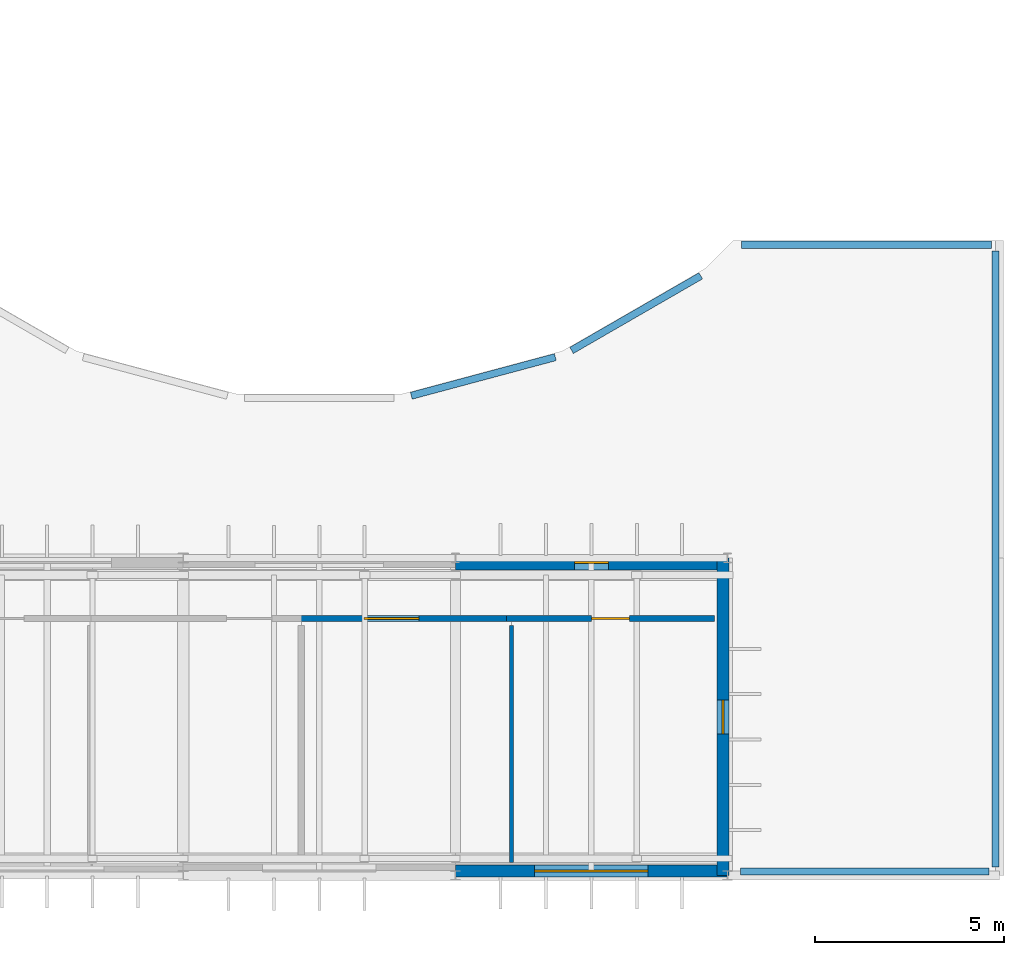
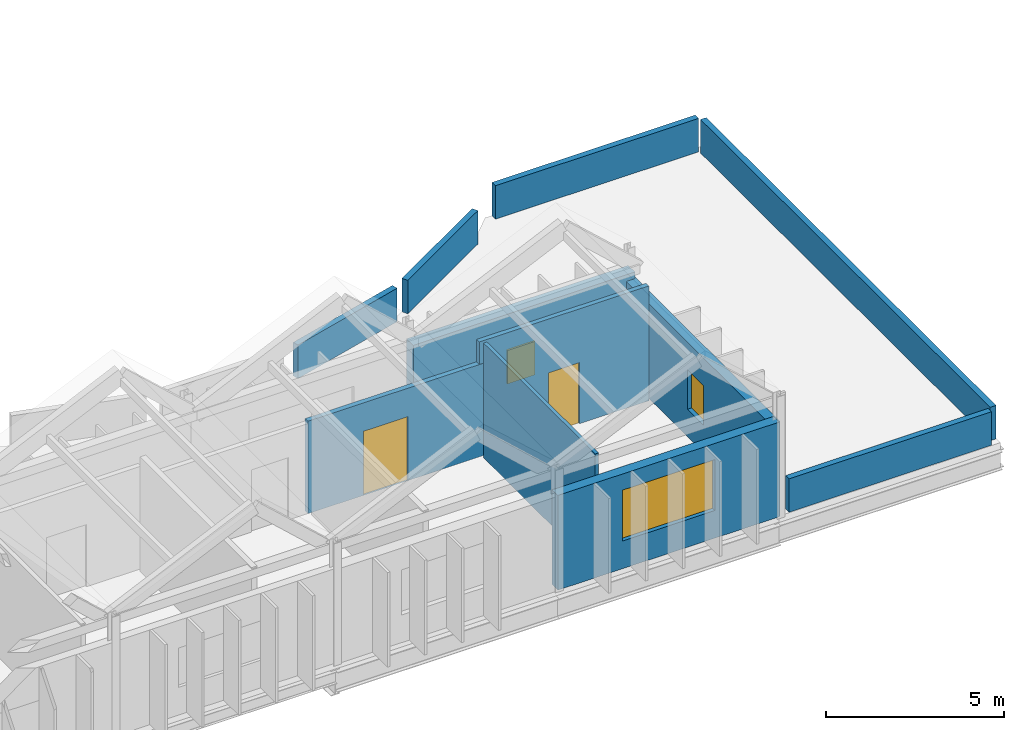
# One storey, part 43 of 52: 11 walls, 3 windows, 2 doors, 5 openings.
"""IFC4 building model written with IfcOpenShell, lengths in metres."""

from ifc_helpers import new_model, si_unit, direction, frame, frame_2d, origin, place, context, subcontext, project, spatial, rectangle, extrude, material, layer, layer_set, type_object, element, fill, save


model = new_model("IFC4")

# Units and contexts
model_context = context("Model", 3, precision=1e-05, world=origin(), true_north=direction((0.0, 1.0)))
body_context = subcontext(model_context, "Body", "Model", "MODEL_VIEW")
ifc_project = project(units=[si_unit("LENGTHUNIT", "METRE"), si_unit("AREAUNIT", "SQUARE_METRE"), si_unit("VOLUMEUNIT", "CUBIC_METRE"), si_unit("PLANEANGLEUNIT", "RADIAN"), si_unit("MASSUNIT", "GRAM", prefix="KILO")], contexts=[model_context])

# Site, building, storey
site_placement = place(None, origin())
site = spatial("IfcSite", under=ifc_project, at=site_placement, CompositionType="ELEMENT")
building_placement = place(site_placement, origin())
building = spatial("IfcBuilding", under=site, at=building_placement, Name="Qelthora Terrace Specialist Clinic", CompositionType="ELEMENT")
storey_placement = place(building_placement, frame((0.0, 0.0, 17.39990234375)))
storey = spatial("IfcBuildingStorey", under=building, at=storey_placement, Name="L04", CompositionType="ELEMENT", Elevation=17.39990234375)

# Wall, opening, window
ifc_material_1 = material(Name="Precast concrete C40/50", Category="concrete")
ifc_layer_1 = layer(ifc_material_1, 0.320068359375)
ifc_layer_set_1 = layer_set([ifc_layer_1], Name="Precast concrete C40/50")
wall_type_1 = type_object("IfcWallType", Name="WAL-EXT-320-PC40", PredefinedType="SOLIDWALL", material=ifc_layer_set_1)
wall_1_placement = place(storey_placement, frame((129.60009765625, 33.719970703125, 0.0), z_axis=(0.0, 0.0, 1.0), x_axis=(1.0, 0.0, 0.0)))
wall_1 = element("IfcWall", 1, at=wall_1_placement, inside=storey, type_object=wall_type_1, Name="L04 external precast wall 351", PredefinedType="SOLIDWALL", context=body_context, shape_type="SweptSolid", body=[
    extrude(rectangle(XDim=7.199951171875, YDim=0.320068359375, at=frame_2d((3.60009765625, 0.0))), origin(), (0.0, 0.0, 1.0), 3.254150390625),
])
opening_1_placement = place(wall_1_placement, frame((2.10009765625, 0.0, 0.949951171875)))
opening_1 = element("IfcOpeningElement", 2, at=opening_1_placement, cuts=wall_1, Name="Opening WN-L04-308", PredefinedType="OPENING", context=body_context, shape_type="SweptSolid", body=[
    extrude(rectangle(XDim=3.0, YDim=1.75, at=frame_2d((1.5, 0.875))), frame((0.0, 0.169921875, 0.0), z_axis=(0.0, -1.0, 0.0), x_axis=(1.0, 0.0, 0.0)), (0.0, 0.0, 1.0), 0.340087890625),
])
ifc_material_2 = material(Name="Low-E triple-silver insulating glass", Category="glass")
window_type_1 = type_object("IfcWindowType", Name="WIN-3000X1750", PartitioningType="DOUBLE_PANEL_VERTICAL", PredefinedType="WINDOW", material=ifc_material_2)
window_1_placement = place(opening_1_placement, origin())
window_1 = element("IfcWindow", 3, at=window_1_placement, inside=storey, type_object=window_type_1, Name="Clinical window WN-L04-308", OverallHeight=1.75, OverallWidth=3.0, PartitioningType="SINGLE_PANEL", PredefinedType="WINDOW", context=body_context, shape_type="SweptSolid", body=[
    extrude(rectangle(XDim=3.0, YDim=1.75, at=frame_2d((1.5, 0.875))), frame((0.0, 0.030029296875, 0.0), z_axis=(0.0, -1.0, 0.0), x_axis=(1.0, 0.0, 0.0)), (0.0, 0.0, 1.0), 0.06005859375),
])
fill(opening_1, window_1)

wall_2_placement = place(storey_placement, frame((136.679931640625, 33.60009765625, 0.0), z_axis=(0.0, 0.0, 1.0), x_axis=(0.0, 1.0, 0.0)))
wall_2 = element("IfcWall", 4, at=wall_2_placement, inside=storey, type_object=wall_type_1, Name="L04 external precast wall 361", PredefinedType="SOLIDWALL", context=body_context, shape_type="SweptSolid", body=[
    extrude(rectangle(XDim=8.39990234375, YDim=0.320068359375, at=frame_2d((4.199951171875, 0.0))), origin(), (0.0, 0.0, 1.0), 3.2490234375),
])
opening_2_placement = place(wall_2_placement, frame((3.75, 0.0, 0.949951171875)))
opening_2 = element("IfcOpeningElement", 5, at=opening_2_placement, cuts=wall_2, Name="Opening WN-L04-318", PredefinedType="OPENING", context=body_context, shape_type="SweptSolid", body=[
    extrude(rectangle(XDim=0.89990234375, YDim=1.35009765625, at=frame_2d((0.449951171875, 0.675048828125))), frame((0.0, 0.169921875, 0.0), z_axis=(0.0, -1.0, 0.0), x_axis=(1.0, 0.0, 0.0)), (0.0, 0.0, 1.0), 0.340087890625),
])
window_type_2 = type_object("IfcWindowType", Name="WIN-900X1350", PartitioningType="SINGLE_PANEL", PredefinedType="WINDOW", material=ifc_material_2)
window_2_placement = place(opening_2_placement, origin())
window_2 = element("IfcWindow", 6, at=window_2_placement, inside=storey, type_object=window_type_2, Name="Clinical window WN-L04-318", OverallHeight=1.35009765625, OverallWidth=0.89990234375, PartitioningType="SINGLE_PANEL", PredefinedType="WINDOW", context=body_context, shape_type="SweptSolid", body=[
    extrude(rectangle(XDim=0.89990234375, YDim=1.35009765625, at=frame_2d((0.449951171875, 0.675048828125))), frame((0.0, 0.030029296875, 0.0), z_axis=(0.0, -1.0, 0.0), x_axis=(1.0, 0.0, 0.0)), (0.0, 0.0, 1.0), 0.06005859375),
])
fill(opening_2, window_2)

ifc_layer_2 = layer(ifc_material_1, 0.3798828125)
ifc_layer_set_2 = layer_set([ifc_layer_2], Name="Precast concrete C40/50")
wall_type_2 = type_object("IfcWallType", Name="WAL-EXT-380-PC40", PredefinedType="SOLIDWALL", material=ifc_layer_set_2)
wall_3_placement = place(storey_placement, frame((129.60009765625, 41.8798828125, 0.0), z_axis=(0.0, 0.0, 1.0), x_axis=(1.0, 0.0, 0.0)))
wall_3 = element("IfcWall", 7, at=wall_3_placement, inside=storey, type_object=wall_type_2, Name="L04 external precast wall 360", PredefinedType="SOLIDWALL", context=body_context, shape_type="SweptSolid", body=[
    extrude(rectangle(XDim=7.199951171875, YDim=0.3798828125, at=frame_2d((3.60009765625, 0.0))), origin(), (0.0, 0.0, 1.0), 3.47607421875),
])
opening_3_placement = place(wall_3_placement, frame((3.14990234375, 0.0, 0.949951171875)))
opening_3 = element("IfcOpeningElement", 8, at=opening_3_placement, cuts=wall_3, Name="Opening WN-L04-317", PredefinedType="OPENING", context=body_context, shape_type="SweptSolid", body=[
    extrude(rectangle(XDim=0.89990234375, YDim=1.14990234375, at=frame_2d((0.449951171875, 0.574951171875))), frame((0.0, 0.199951171875, 0.0), z_axis=(0.0, -1.0, 0.0), x_axis=(1.0, 0.0, 0.0)), (0.0, 0.0, 1.0), 0.39990234375),
])
window_type_3 = type_object("IfcWindowType", Name="WIN-900X1150", PartitioningType="SINGLE_PANEL", PredefinedType="WINDOW", material=ifc_material_2)
window_3_placement = place(opening_3_placement, origin())
window_3 = element("IfcWindow", 9, at=window_3_placement, inside=storey, type_object=window_type_3, Name="Clinical window WN-L04-317", OverallHeight=1.14990234375, OverallWidth=0.89990234375, PartitioningType="SINGLE_PANEL", PredefinedType="WINDOW", context=body_context, shape_type="SweptSolid", body=[
    extrude(rectangle(XDim=0.89990234375, YDim=1.14990234375, at=frame_2d((0.449951171875, 0.574951171875))), frame((0.0, 0.030029296875, 0.0), z_axis=(0.0, -1.0, 0.0), x_axis=(1.0, 0.0, 0.0)), (0.0, 0.0, 1.0), 0.06005859375),
])
fill(opening_3, window_3)

# Wall, opening, door
ifc_material_3 = material(Name="Gypsum fire-rated wallboard", Category="gypsum")
ifc_layer_3 = layer(ifc_material_3, 0.159912109375)
ifc_layer_set_3 = layer_set([ifc_layer_3], Name="Gypsum fire-rated wallboard")
wall_type_3 = type_object("IfcWallType", Name="WAL-INT-COR-160", PredefinedType="PARTITIONING", material=ifc_layer_set_3)
wall_4_placement = place(storey_placement, frame((125.389892578125, 40.39990234375, 0.0), z_axis=(0.0, 0.0, 1.0), x_axis=(1.0, 0.0, 0.0)))
wall_4 = element("IfcWall", 10, at=wall_4_placement, inside=storey, type_object=wall_type_3, Name="Interior clinical partition IWAL-L04-0364", PredefinedType="PARTITIONING", context=body_context, shape_type="SweptSolid", body=[
    extrude(rectangle(XDim=5.697509765625, YDim=0.159912109375, at=frame_2d((2.8486328125, 0.0))), origin(), (0.0, 0.0, 1.0), 3.175048828125),
])
opening_4_placement = place(wall_4_placement, frame((1.793701171875, 0.0, 0.0)))
opening_4 = element("IfcOpeningElement", 11, at=opening_4_placement, cuts=wall_4, Name="Opening DI-L04-0146", PredefinedType="OPENING", context=body_context, shape_type="SweptSolid", body=[
    extrude(rectangle(XDim=1.449951171875, YDim=2.199951171875, at=frame_2d((0.72509765625, 1.10009765625))), frame((0.0, 0.08984375, 0.0), z_axis=(0.0, -1.0, 0.0), x_axis=(1.0, 0.0, 0.0)), (0.0, 0.0, 1.0), 0.179931640625),
])
ifc_material_4 = material(Name="Steel S355", Category="steel")
door_type_1 = type_object("IfcDoorType", Name="DOR-LAB-1450X2200", OperationType="NOTDEFINED", PredefinedType="DOOR", material=ifc_material_4)
door_1_placement = place(opening_4_placement, frame((1.449951171875, 0.0, 0.0), z_axis=(0.0, 0.0, 1.0), x_axis=(-1.0, 0.0, 0.0)))
door_1 = element("IfcDoor", 12, at=door_1_placement, inside=storey, type_object=door_type_1, Name="Interior clinical door DI-L04-0146", OperationType="SINGLE_SWING_LEFT", OverallHeight=2.199951171875, OverallWidth=1.449951171875, PredefinedType="DOOR", context=body_context, shape_type="SweptSolid", body=[
    extrude(rectangle(XDim=1.449951171875, YDim=2.199951171875, at=frame_2d((0.72509765625, 1.10009765625))), frame((0.0, 0.02490234375, 0.0), z_axis=(0.0, -1.0, 0.0), x_axis=(1.0, 0.0, 0.0)), (0.0, 0.0, 1.0), 0.050048828125),
])
fill(opening_4, door_1)

# Wall
ifc_layer_4 = layer(ifc_material_2, 0.110107421875)
ifc_layer_set_4 = layer_set([ifc_layer_4], Name="Low-E triple-silver insulating glass")
wall_type_4 = type_object("IfcWallType", Name="WAL-INT-GLA-110", PredefinedType="MOVABLE", material=ifc_layer_set_4)
wall_5_placement = place(storey_placement, frame((131.08740234375, 40.219970703125, 0.0), z_axis=(0.0, 0.0, 1.0), x_axis=(0.0, -1.0, 0.0)))
element("IfcWall", 13, at=wall_5_placement, inside=storey, type_object=wall_type_4, Name="Interior clinical partition IWAL-L04-0365", PredefinedType="MOVABLE", context=body_context, shape_type="SweptSolid", body=[
    extrude(rectangle(XDim=6.280029296875, YDim=0.110107421875, at=frame_2d((3.14013671875, 0.0))), origin(), (0.0, 0.0, 1.0), 3.945068359375),
])

# Wall, opening, door
ifc_material_5 = material(Name="Gypsum moisture-resistant", Category="gypsum")
ifc_layer_5 = layer(ifc_material_5, 0.14990234375)
ifc_layer_set_5 = layer_set([ifc_layer_5], Name="Gypsum moisture-resistant")
wall_type_5 = type_object("IfcWallType", Name="WAL-INT-WET-150", PredefinedType="PLUMBINGWALL", material=ifc_layer_set_5)
wall_6_placement = place(storey_placement, frame((130.952392578125, 40.39990234375, 0.0), z_axis=(0.0, 0.0, 1.0), x_axis=(1.0, 0.0, 0.0)))
wall_6 = element("IfcWall", 14, at=wall_6_placement, inside=storey, type_object=wall_type_5, Name="Interior clinical partition IWAL-L04-0366", PredefinedType="PLUMBINGWALL", context=body_context, shape_type="SweptSolid", body=[
    extrude(rectangle(XDim=5.507568359375, YDim=0.14990234375, at=frame_2d((2.75390625, 0.0))), origin(), (0.0, 0.0, 1.0), 3.945068359375),
])
opening_5_placement = place(wall_6_placement, frame((2.253662109375, 0.0, 0.0)))
opening_5 = element("IfcOpeningElement", 15, at=opening_5_placement, cuts=wall_6, Name="Opening DI-L04-0147", PredefinedType="OPENING", context=body_context, shape_type="SweptSolid", body=[
    extrude(rectangle(XDim=1.0, YDim=2.10009765625, at=frame_2d((0.5, 1.050048828125))), frame((0.0, 0.0849609375, 0.0), z_axis=(0.0, -1.0, 0.0), x_axis=(1.0, 0.0, 0.0)), (0.0, 0.0, 1.0), 0.169921875),
])
ifc_material_6 = material(Name="Glulam timber GL28h", Category="wood")
door_type_2 = type_object("IfcDoorType", Name="DOR-AWC-1000X2100", OperationType="NOTDEFINED", PredefinedType="DOOR", material=ifc_material_6)
door_2_placement = place(opening_5_placement, frame((1.0, 0.0, 0.0), z_axis=(0.0, 0.0, 1.0), x_axis=(-1.0, 0.0, 0.0)))
door_2 = element("IfcDoor", 16, at=door_2_placement, inside=storey, type_object=door_type_2, Name="Interior clinical door DI-L04-0147", OperationType="SINGLE_SWING_RIGHT", OverallHeight=2.10009765625, OverallWidth=1.0, PredefinedType="DOOR", context=body_context, shape_type="SweptSolid", body=[
    extrude(rectangle(XDim=1.0, YDim=2.10009765625, at=frame_2d((0.5, 1.050048828125))), frame((0.0, 0.02490234375, 0.0), z_axis=(0.0, -1.0, 0.0), x_axis=(1.0, 0.0, 0.0)), (0.0, 0.0, 1.0), 0.050048828125),
])
fill(opening_5, door_2)

# Walls
ifc_layer_6 = layer(ifc_material_1, 0.18994140625)
ifc_layer_set_6 = layer_set([ifc_layer_6], Name="Precast concrete C40/50")
wall_type_6 = type_object("IfcWallType", Name="WAL-PAR-190-PC40", PredefinedType="PARAPET", material=ifc_layer_set_6)
for number, where, z_axis, x_axis, name in (
    (17, (128.433837890625, 46.29443359375, 0.0), (0.0, 0.0, 1.0), (0.965925127768, 0.258821652005, 0.0), "Roof perimeter parapet ROOF-V4-STP4B-1-5"),
    (18, (132.674560546875, 47.49365234375, 0.0), (0.0, 0.0, 1.0), (0.866056795242, 0.499945624459, 0.0), "Roof perimeter parapet ROOF-V4-STP4B-1-6"),
):
    element("IfcWall", number, at=place(storey_placement, frame(where, z_axis=z_axis, x_axis=x_axis)), inside=storey, type_object=wall_type_6, Name=name, PredefinedType="PARAPET", context=body_context, shape_type="SweptSolid", body=[
        extrude(rectangle(XDim=3.94580078125, YDim=0.18994140625, at=frame_2d((1.972900390625, 0.0))), origin(), (0.0, 0.0, 1.0), 1.150146484375),
    ])
wall_7_placement = place(storey_placement, frame((137.175537109375, 50.2900390625, 0.0), z_axis=(0.0, 0.0, 1.0), x_axis=(1.0, 0.0, 0.0)))
element("IfcWall", 19, at=wall_7_placement, inside=storey, type_object=wall_type_6, Name="Roof perimeter parapet ROOF-V4-STP4B-1-7", PredefinedType="PARAPET", context=body_context, shape_type="SweptSolid", body=[
    extrude(rectangle(XDim=6.6044921875, YDim=0.18994140625, at=frame_2d((3.30224609375, 0.0))), origin(), (0.0, 0.0, 1.0), 1.150146484375),
])
wall_8_placement = place(storey_placement, frame((143.889892578125, 50.123046875, 0.0), z_axis=(0.0, 0.0, 1.0), x_axis=(0.0, -1.0, 0.0)))
element("IfcWall", 20, at=wall_8_placement, inside=storey, type_object=wall_type_6, Name="Roof perimeter parapet ROOF-V4-STP4B-1-8", PredefinedType="PARAPET", context=body_context, shape_type="SweptSolid", body=[
    extrude(rectangle(XDim=16.302978515625, YDim=0.18994140625, at=frame_2d((8.1513671875, 0.0))), origin(), (0.0, 0.0, 1.0), 1.150146484375),
])
wall_9_placement = place(storey_placement, frame((143.722900390625, 33.7099609375, 0.0), z_axis=(0.0, 0.0, 1.0), x_axis=(-1.0, 0.0, 0.0)))
element("IfcWall", 21, at=wall_9_placement, inside=storey, type_object=wall_type_6, Name="Roof perimeter parapet ROOF-V4-STP4B-1-9", PredefinedType="PARAPET", context=body_context, shape_type="SweptSolid", body=[
    extrude(rectangle(XDim=6.58349609375, YDim=0.18994140625, at=frame_2d((3.291748046875, 0.0))), origin(), (0.0, 0.0, 1.0), 1.150146484375),
])

save(model, "model.ifc")
